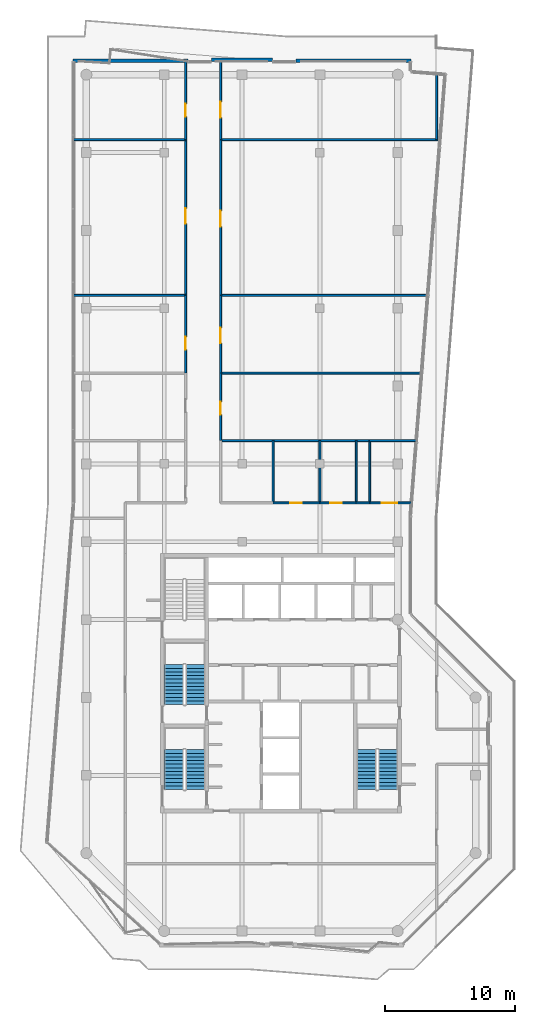
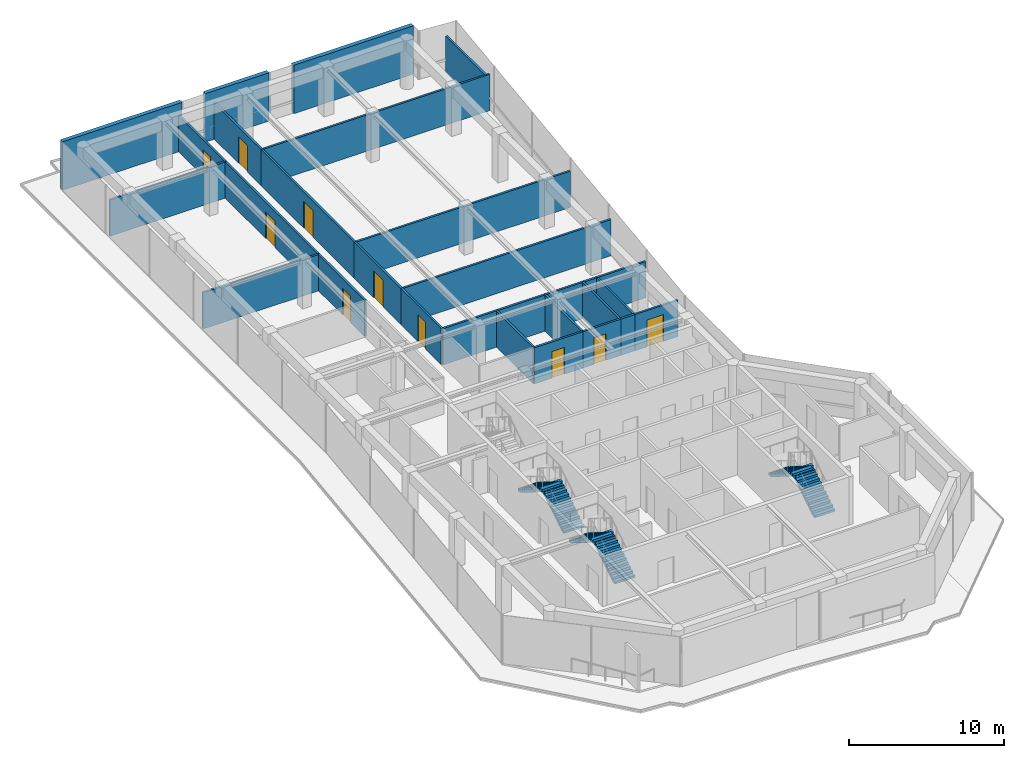
# One storey, part 19 of 22: 26 walls, 10 doors, 6 stair flights, 10 openings, 3 elements without a shape of their own.
"""IFC4 building model written with IfcOpenShell, lengths in metres."""

import ifcopenshell
import ifcopenshell.guid

model = None  # the IFC model being written
_history = None  # IfcOwnerHistory: only IFC2X3 demands one
_inside = {}  # id of a spatial element -> (the spatial element, [elements in it])
_under = {}  # id of a project, library or spatial element -> (it, [spatial elements below it])
_declared = {}  # id of a project -> (the project, [libraries it declares])
_typed = {}  # id of a type object -> (the type object, [elements of that type])
_made_of = {}  # id of a material, layer set ... -> (it, [elements and type objects made of it])


def new_model(schema):
    """Start an empty IFC model of exactly this schema.

    Asked for "IFC4X3", IfcOpenShell would pick the latest addendum, in which some entities
    have other attributes; the version numbers below select the first issue.
    IFC2X3 requires an IfcOwnerHistory on every rooted entity: one is made here for all.
    """
    global model, _history
    if schema == "IFC4X3":
        model = ifcopenshell.file(schema_version=(4, 3, 0, 0))
    else:
        model = ifcopenshell.file(schema=schema)
    _inside.clear()
    _under.clear()
    _declared.clear()
    _typed.clear()
    _made_of.clear()
    _history = None
    if model.schema == "IFC2X3":
        org = make("IfcOrganization", Name="unknown")
        user = make(
            "IfcPersonAndOrganization",
            ThePerson=make("IfcPerson", FamilyName="unknown"),
            TheOrganization=org,
        )
        app = make(
            "IfcApplication",
            ApplicationDeveloper=org,
            Version="unknown",
            ApplicationFullName="unknown",
            ApplicationIdentifier="unknown",
        )
        _history = make(
            "IfcOwnerHistory",
            OwningUser=user,
            OwningApplication=app,
            ChangeAction="ADDED",
            CreationDate=0,
        )
    return model


def make(cls, **values):
    """One entity of the class cls with the attributes given. An attribute that is None is left unset."""
    return model.create_entity(
        cls, **{name: value for name, value in values.items() if value is not None}
    )


def rooted(cls, **values):
    """An entity with a GlobalId (a new one), such as an element, a storey or a relation."""
    return make(cls, GlobalId=ifcopenshell.guid.new(), OwnerHistory=_history, **values)


def si_unit(unit_type, name, prefix=None):
    """IfcSIUnit, for example si_unit("LENGTHUNIT", "METRE", prefix="MILLI")."""
    return make("IfcSIUnit", UnitType=unit_type, Prefix=prefix, Name=name)


def assignment(units):
    """IfcUnitAssignment: the units of a project."""
    return None if units is None else make("IfcUnitAssignment", Units=units)


def point(xyz):
    """IfcCartesianPoint."""
    return None if xyz is None else make("IfcCartesianPoint", Coordinates=xyz)


def direction(xyz):
    """IfcDirection."""
    return None if xyz is None else make("IfcDirection", DirectionRatios=xyz)


def frame(location, z_axis=None, x_axis=None):
    """IfcAxis2Placement3D, a coordinate frame: its origin and axes. An axis left out is left unset."""
    return make(
        "IfcAxis2Placement3D",
        Location=point(location),
        Axis=direction(z_axis),
        RefDirection=direction(x_axis),
    )


def frame_2d(location, x_axis=None):
    """IfcAxis2Placement2D, a coordinate frame in the plane: its origin and x axis."""
    return make(
        "IfcAxis2Placement2D", Location=point(location), RefDirection=direction(x_axis)
    )


def origin():
    """The frame at (0, 0, 0) with its axes left unset."""
    return frame((0.0, 0.0, 0.0))


def place(relative_to, where):
    """IfcLocalPlacement: puts the frame where relative to a parent placement (None: the world)."""
    return make(
        "IfcLocalPlacement", PlacementRelTo=relative_to, RelativePlacement=where
    )


def context(
    kind, dimensions, precision=None, world=None, true_north=None, identifier=None
):
    """IfcGeometricRepresentationContext, for example the 3D "Model" context."""
    return make(
        "IfcGeometricRepresentationContext",
        ContextIdentifier=identifier,
        ContextType=kind,
        CoordinateSpaceDimension=dimensions,
        Precision=precision,
        WorldCoordinateSystem=world,
        TrueNorth=true_north,
    )


def subcontext(parent, identifier, kind, view, scale=None):
    """IfcGeometricRepresentationSubContext, for example "Body" below "Model"."""
    return make(
        "IfcGeometricRepresentationSubContext",
        ContextIdentifier=identifier,
        ContextType=kind,
        ParentContext=parent,
        TargetScale=scale,
        TargetView=view,
    )


def project(units=None, contexts=None):
    """IfcProject with its units and contexts."""
    return rooted(
        "IfcProject",
        Name="project",
        RepresentationContexts=contexts,
        UnitsInContext=assignment(units),
    )


def spatial(cls, under=None, at=None, **own):
    """A site, building, storey or space (cls), placed at a placement, below another one or the project."""
    s = rooted(cls, ObjectPlacement=at, **own)
    if under is not None:
        _under.setdefault(under.id(), (under, []))[1].append(s)
    return s


def polyline(points):
    """IfcPolyline through the points."""
    return make("IfcPolyline", Points=[point(p) for p in points])


def profile(cls, at=None, kind="AREA", **sizes):
    """A parametric profile (cls). Its sizes go by their IFC names, for example OverallWidth=200.0."""
    return make(cls, ProfileType=kind, Position=at, **sizes)


def rectangle(**sizes):
    """IfcRectangleProfileDef."""
    return profile("IfcRectangleProfileDef", **sizes)


def outline(outer, holes=None, kind="AREA"):
    """IfcArbitraryClosedProfileDef: a profile drawn as a closed curve; with holes, ...WithVoids."""
    if holes is None:
        return make("IfcArbitraryClosedProfileDef", ProfileType=kind, OuterCurve=outer)
    return make(
        "IfcArbitraryProfileDefWithVoids",
        ProfileType=kind,
        OuterCurve=outer,
        InnerCurves=holes,
    )


def extrude(swept, where, along, depth):
    """IfcExtrudedAreaSolid: the profile swept, set in the frame where, extruded along a direction by depth."""
    return make(
        "IfcExtrudedAreaSolid",
        SweptArea=swept,
        Position=where,
        ExtrudedDirection=direction(along),
        Depth=depth,
    )


def shape(context_of_items, identifier, shape_type, items):
    """IfcShapeRepresentation: the items that make up one representation, for example the "Body"."""
    return make(
        "IfcShapeRepresentation",
        ContextOfItems=context_of_items,
        RepresentationIdentifier=identifier,
        RepresentationType=shape_type,
        Items=items,
    )


def material(Name=None, Category=None):
    """IfcMaterial."""
    return make("IfcMaterial", Name=Name, Category=Category)


def layer(
    of_material, thickness, ventilated=None, Name=None, Category=None, Priority=None
):
    """IfcMaterialLayer: one layer of a wall or slab, of a material (None: an air gap)."""
    return make(
        "IfcMaterialLayer",
        Material=of_material,
        LayerThickness=thickness,
        IsVentilated=ventilated,
        Name=Name,
        Category=Category,
        Priority=Priority,
    )


def layer_set(layers, Name=None):
    """IfcMaterialLayerSet."""
    return make("IfcMaterialLayerSet", MaterialLayers=layers, LayerSetName=Name)


def made_of(thing, what):
    """Note that an element or type object is made of a material, layer set ...; save() writes the relation."""
    if what is not None:
        _made_of.setdefault(what.id(), (what, []))[1].append(thing)
    return thing


def type_object(cls, material=None, **own):
    """A type object (cls), such as IfcWallType, which elements share."""
    return made_of(rooted(cls, **own), material)


def element(
    cls,
    number,
    at=None,
    inside=None,
    cuts=None,
    type_object=None,
    material=None,
    context=None,
    identifier="Body",
    shape_type=None,
    held_by="IfcProductDefinitionShape",
    body=None,
    shapes=None,
    **own,
):
    """One element of the class cls, such as IfcWall. Its Tag is "e" and its number.

    at: its placement. inside: the storey or other place that contains it. cuts: it is an
    opening in that element (IfcRelVoidsElement). A single representation is given by context,
    identifier, shape_type and body (its items); several are given by shapes. held_by: the class
    of the entity that holds the representations. save() writes the other relations.
    """
    e = rooted(cls, Tag="e%d" % number, ObjectPlacement=at, **own)
    if body is not None:
        shapes = [shape(context, identifier, shape_type, body)]
    if shapes is not None:
        e.Representation = make(held_by, Representations=shapes)
    if inside is not None:
        _inside.setdefault(inside.id(), (inside, []))[1].append(e)
    if cuts is not None:
        rooted(
            "IfcRelVoidsElement", RelatingBuildingElement=cuts, RelatedOpeningElement=e
        )
    if type_object is not None:
        _typed.setdefault(type_object.id(), (type_object, []))[1].append(e)
    return made_of(e, material)


def fill(opening, filler):
    """IfcRelFillsElement: the door or window that sits in an opening."""
    return rooted(
        "IfcRelFillsElement",
        RelatingOpeningElement=opening,
        RelatedBuildingElement=filler,
    )


def aggregate(whole, parts):
    """IfcRelAggregates: a whole, such as a stair, and the parts it consists of."""
    return rooted("IfcRelAggregates", RelatingObject=whole, RelatedObjects=parts)


def save(model, path):
    """Write the relations noted so far, then the file.

    IfcRelAggregates (storeys below a building ...), IfcRelContainedInSpatialStructure (elements
    in a storey), IfcRelDefinesByType, IfcRelAssociatesMaterial and IfcRelDeclares: one each for
    every whole, place, type object, material and project.
    """
    for whole, parts in _under.values():
        aggregate(whole, parts)
    for where, things in _inside.values():
        rooted(
            "IfcRelContainedInSpatialStructure",
            RelatedElements=things,
            RelatingStructure=where,
        )
    for kind, things in _typed.values():
        rooted("IfcRelDefinesByType", RelatedObjects=things, RelatingType=kind)
    for what, things in _made_of.values():
        rooted("IfcRelAssociatesMaterial", RelatedObjects=things, RelatingMaterial=what)
    for by, libraries in _declared.values():
        rooted("IfcRelDeclares", RelatingContext=by, RelatedDefinitions=libraries)
    model.write(path)


model = new_model("IFC4")

# Units and contexts
model_context = context("Model", 3, precision=1e-05, world=origin(), true_north=direction((0.0, 1.0)))
body_context = subcontext(model_context, "Body", "Model", "MODEL_VIEW")
ifc_project = project(units=[si_unit("LENGTHUNIT", "METRE"), si_unit("AREAUNIT", "SQUARE_METRE"), si_unit("VOLUMEUNIT", "CUBIC_METRE"), si_unit("PLANEANGLEUNIT", "RADIAN"), si_unit("MASSUNIT", "GRAM", prefix="KILO")], contexts=[model_context])

# Site, building, storey
site_placement = place(None, origin())
site = spatial("IfcSite", under=ifc_project, at=site_placement, CompositionType="ELEMENT")
building_placement = place(site_placement, origin())
building = spatial("IfcBuilding", under=site, at=building_placement, Name="Welwitschia Terrace Campus", CompositionType="ELEMENT")
storey_placement = place(building_placement, frame((0.0, 0.0, 268.39990234375)))
storey = spatial("IfcBuildingStorey", under=building, at=storey_placement, Name="L59", CompositionType="ELEMENT", Elevation=268.39990234375)

# Walls
ifc_material_1 = material(Name="Gypsum board on steel studs", Category="steel")
ifc_layer_1 = layer(ifc_material_1, 0.14990234375)
ifc_layer_set_1 = layer_set([ifc_layer_1], Name="Gypsum board on steel studs")
wall_type_1 = type_object("IfcWallType", Name="Corridor partition 150 EI 30", PredefinedType="PARTITIONING", material=ifc_layer_set_1)
for number, where, z_axis, x_axis, name in (
    (1, (-0.97998046875, 45.0, 0.0), (0.0, 0.0, 1.0), (1.0, 0.0, 0.0), "Partition"),
    (2, (-0.97998046875, 57.0, 0.0), (0.0, 0.0, 1.0), (1.0, 0.0, 0.0), "Partition"),
):
    element("IfcWall", number, at=place(storey_placement, frame(where, z_axis=z_axis, x_axis=x_axis)), inside=storey, type_object=wall_type_1, Name=name, PredefinedType="PARTITIONING", context=body_context, shape_type="SweptSolid", body=[
        extrude(rectangle(XDim=8.6298828125, YDim=0.14990234375, at=frame_2d((4.31494140625, 0.0))), origin(), (0.0, 0.0, 1.0), 2.85009765625),
    ])

# Wall, opening, door
wall_1_placement = place(storey_placement, frame((7.64990234375, 39.0, 0.0), z_axis=(0.0, 0.0, 1.0), x_axis=(0.0, 1.0, 0.0)))
wall_1 = element("IfcWall", 3, at=wall_1_placement, inside=storey, type_object=wall_type_1, Name="Partition", PredefinedType="PARTITIONING", context=body_context, shape_type="SweptSolid", body=[
    extrude(rectangle(XDim=6.0, YDim=0.14990234375, at=frame_2d((3.0, 0.0))), origin(), (0.0, 0.0, 1.0), 2.85009765625),
])
opening_1_placement = place(wall_1_placement, frame((1.800048828125, 0.0, 0.0)))
opening_1 = element("IfcOpeningElement", 4, at=opening_1_placement, cuts=wall_1, Name="Opening DI10", PredefinedType="OPENING", context=body_context, shape_type="SweptSolid", body=[
    extrude(rectangle(XDim=1.0, YDim=2.10009765625, at=frame_2d((0.5, 1.050048828125))), frame((0.0, 0.0849609375, 0.0), z_axis=(0.0, -1.0, 0.0), x_axis=(1.0, 0.0, 0.0)), (0.0, 0.0, 1.0), 0.169921875),
])
ifc_material_2 = material(Name="Timber veneered door", Category="wood")
door_type_1 = type_object("IfcDoorType", Name="Interior door DI10", OperationType="NOTDEFINED", PredefinedType="DOOR", material=ifc_material_2)
door_1_placement = place(opening_1_placement, origin())
door_1 = element("IfcDoor", 5, at=door_1_placement, inside=storey, type_object=door_type_1, Name="Door L59 1059", OperationType="SINGLE_SWING_RIGHT", OverallHeight=2.10009765625, OverallWidth=1.0, PredefinedType="DOOR", context=body_context, shape_type="SweptSolid", body=[
    extrude(rectangle(XDim=1.0, YDim=2.10009765625, at=frame_2d((0.5, 1.050048828125))), frame((0.0, 0.02490234375, 0.0), z_axis=(0.0, -1.0, 0.0), x_axis=(1.0, 0.0, 0.0)), (0.0, 0.0, 1.0), 0.050048828125),
])
fill(opening_1, door_1)

wall_2_placement = place(storey_placement, frame((7.64990234375, 57.0, 0.0), z_axis=(0.0, 0.0, 1.0), x_axis=(0.0, -1.0, 0.0)))
wall_2 = element("IfcWall", 6, at=wall_2_placement, inside=storey, type_object=wall_type_1, Name="Partition", PredefinedType="PARTITIONING", context=body_context, shape_type="SweptSolid", body=[
    extrude(rectangle(XDim=12.0, YDim=0.14990234375, at=frame_2d((6.0, 0.0))), origin(), (0.0, 0.0, 1.0), 2.85009765625),
])
opening_2_placement = place(wall_2_placement, frame((5.300048828125, 0.0, 0.0)))
opening_2 = element("IfcOpeningElement", 7, at=opening_2_placement, cuts=wall_2, Name="Opening DI12", PredefinedType="OPENING", context=body_context, shape_type="SweptSolid", body=[
    extrude(rectangle(XDim=1.199951171875, YDim=2.10009765625, at=frame_2d((0.60009765625, 1.050048828125))), frame((0.0, 0.0849609375, 0.0), z_axis=(0.0, -1.0, 0.0), x_axis=(1.0, 0.0, 0.0)), (0.0, 0.0, 1.0), 0.169921875),
])
ifc_material_3 = material(Name="Timber veneered door", Category="wood")
door_type_2 = type_object("IfcDoorType", Name="Interior door DI12", OperationType="NOTDEFINED", PredefinedType="DOOR", material=ifc_material_3)
door_2_placement = place(opening_2_placement, origin())
door_2 = element("IfcDoor", 8, at=door_2_placement, inside=storey, type_object=door_type_2, Name="Door L59 1060", OperationType="SINGLE_SWING_LEFT", OverallHeight=2.10009765625, OverallWidth=1.199951171875, PredefinedType="DOOR", context=body_context, shape_type="SweptSolid", body=[
    extrude(rectangle(XDim=1.199951171875, YDim=2.10009765625, at=frame_2d((0.60009765625, 1.050048828125))), frame((0.0, 0.02490234375, 0.0), z_axis=(0.0, -1.0, 0.0), x_axis=(1.0, 0.0, 0.0)), (0.0, 0.0, 1.0), 0.050048828125),
])
fill(opening_2, door_2)

wall_3_placement = place(storey_placement, frame((7.64990234375, 57.0, 0.0), z_axis=(0.0, 0.0, 1.0), x_axis=(0.0, 1.0, 0.0)))
wall_3 = element("IfcWall", 9, at=wall_3_placement, inside=storey, type_object=wall_type_1, Name="Partition", PredefinedType="PARTITIONING", context=body_context, shape_type="SweptSolid", body=[
    extrude(rectangle(XDim=6.090087890625, YDim=0.14990234375, at=frame_2d((3.044921875, 0.0))), origin(), (0.0, 0.0, 1.0), 2.85009765625),
])
opening_3_placement = place(wall_3_placement, frame((1.780029296875, 0.0, 0.0)))
opening_3 = element("IfcOpeningElement", 10, at=opening_3_placement, cuts=wall_3, Name="Opening DI10", PredefinedType="OPENING", context=body_context, shape_type="SweptSolid", body=[
    extrude(rectangle(XDim=1.0, YDim=2.10009765625, at=frame_2d((0.5, 1.050048828125))), frame((0.0, 0.0849609375, 0.0), z_axis=(0.0, -1.0, 0.0), x_axis=(1.0, 0.0, 0.0)), (0.0, 0.0, 1.0), 0.169921875),
])
door_3_placement = place(opening_3_placement, origin())
door_3 = element("IfcDoor", 11, at=door_3_placement, inside=storey, type_object=door_type_1, Name="Door L59 1061", OperationType="SINGLE_SWING_RIGHT", OverallHeight=2.10009765625, OverallWidth=1.0, PredefinedType="DOOR", context=body_context, shape_type="SweptSolid", body=[
    extrude(rectangle(XDim=1.0, YDim=2.10009765625, at=frame_2d((0.5, 1.050048828125))), frame((0.0, 0.02490234375, 0.0), z_axis=(0.0, -1.0, 0.0), x_axis=(1.0, 0.0, 0.0)), (0.0, 0.0, 1.0), 0.050048828125),
])
fill(opening_3, door_3)

# Wall
wall_4_placement = place(storey_placement, frame((10.35009765625, 33.800048828125, 0.0), z_axis=(0.0, 0.0, 1.0), x_axis=(1.0, 0.0, 0.0)))
element("IfcWall", 12, at=wall_4_placement, inside=storey, type_object=wall_type_1, Name="Partition", PredefinedType="PARTITIONING", context=body_context, shape_type="SweptSolid", body=[
    extrude(rectangle(XDim=11.489990234375, YDim=0.14990234375, at=frame_2d((5.7451171875, 0.0))), origin(), (0.0, 0.0, 1.0), 2.85009765625),
])

# Wall, opening, door
wall_5_placement = place(storey_placement, frame((10.35009765625, 39.0, 0.0), z_axis=(0.0, 0.0, 1.0), x_axis=(0.0, -1.0, 0.0)))
wall_5 = element("IfcWall", 13, at=wall_5_placement, inside=storey, type_object=wall_type_1, Name="Partition", PredefinedType="PARTITIONING", context=body_context, shape_type="SweptSolid", body=[
    extrude(rectangle(XDim=5.199951171875, YDim=0.14990234375, at=frame_2d((2.60009765625, 0.0))), origin(), (0.0, 0.0, 1.0), 2.85009765625),
])
opening_4_placement = place(wall_5_placement, frame((2.199951171875, 0.0, 0.0)))
opening_4 = element("IfcOpeningElement", 14, at=opening_4_placement, cuts=wall_5, Name="Opening DI10", PredefinedType="OPENING", context=body_context, shape_type="SweptSolid", body=[
    extrude(rectangle(XDim=1.0, YDim=2.10009765625, at=frame_2d((0.5, 1.050048828125))), frame((0.0, 0.0849609375, 0.0), z_axis=(0.0, -1.0, 0.0), x_axis=(1.0, 0.0, 0.0)), (0.0, 0.0, 1.0), 0.169921875),
])
door_4_placement = place(opening_4_placement, origin())
door_4 = element("IfcDoor", 15, at=door_4_placement, inside=storey, type_object=door_type_1, Name="Door L59 1062", OperationType="SINGLE_SWING_LEFT", OverallHeight=2.10009765625, OverallWidth=1.0, PredefinedType="DOOR", context=body_context, shape_type="SweptSolid", body=[
    extrude(rectangle(XDim=1.0, YDim=2.10009765625, at=frame_2d((0.5, 1.050048828125))), frame((0.0, 0.02490234375, 0.0), z_axis=(0.0, -1.0, 0.0), x_axis=(1.0, 0.0, 0.0)), (0.0, 0.0, 1.0), 0.050048828125),
])
fill(opening_4, door_4)

wall_6_placement = place(storey_placement, frame((10.35009765625, 39.0, 0.0), z_axis=(0.0, 0.0, 1.0), x_axis=(0.0, 1.0, 0.0)))
wall_6 = element("IfcWall", 16, at=wall_6_placement, inside=storey, type_object=wall_type_1, Name="Partition", PredefinedType="PARTITIONING", context=body_context, shape_type="SweptSolid", body=[
    extrude(rectangle(XDim=6.0, YDim=0.14990234375, at=frame_2d((3.0, 0.0))), origin(), (0.0, 0.0, 1.0), 2.85009765625),
])
opening_5_placement = place(wall_6_placement, frame((2.300048828125, 0.0, 0.0)))
opening_5 = element("IfcOpeningElement", 17, at=opening_5_placement, cuts=wall_6, Name="Opening DI12", PredefinedType="OPENING", context=body_context, shape_type="SweptSolid", body=[
    extrude(rectangle(XDim=1.199951171875, YDim=2.10009765625, at=frame_2d((0.60009765625, 1.050048828125))), frame((0.0, 0.0849609375, 0.0), z_axis=(0.0, -1.0, 0.0), x_axis=(1.0, 0.0, 0.0)), (0.0, 0.0, 1.0), 0.169921875),
])
door_5_placement = place(opening_5_placement, origin())
door_5 = element("IfcDoor", 18, at=door_5_placement, inside=storey, type_object=door_type_2, Name="Door L59 1063", OperationType="SINGLE_SWING_RIGHT", OverallHeight=2.10009765625, OverallWidth=1.199951171875, PredefinedType="DOOR", context=body_context, shape_type="SweptSolid", body=[
    extrude(rectangle(XDim=1.199951171875, YDim=2.10009765625, at=frame_2d((0.60009765625, 1.050048828125))), frame((0.0, 0.02490234375, 0.0), z_axis=(0.0, -1.0, 0.0), x_axis=(1.0, 0.0, 0.0)), (0.0, 0.0, 1.0), 0.050048828125),
])
fill(opening_5, door_5)

# Wall
wall_7_placement = place(storey_placement, frame((10.35009765625, 39.0, 0.0), z_axis=(0.0, 0.0, 1.0), x_axis=(1.0, 0.0, 0.0)))
element("IfcWall", 19, at=wall_7_placement, inside=storey, type_object=wall_type_1, Name="Partition", PredefinedType="PARTITIONING", context=body_context, shape_type="SweptSolid", body=[
    extrude(rectangle(XDim=15.5, YDim=0.14990234375, at=frame_2d((7.75, 0.0))), origin(), (0.0, 0.0, 1.0), 2.85009765625),
])

# Wall, opening, door
wall_8_placement = place(storey_placement, frame((10.35009765625, 45.0, 0.0), z_axis=(0.0, 0.0, 1.0), x_axis=(0.0, 1.0, 0.0)))
wall_8 = element("IfcWall", 20, at=wall_8_placement, inside=storey, type_object=wall_type_1, Name="Partition", PredefinedType="PARTITIONING", context=body_context, shape_type="SweptSolid", body=[
    extrude(rectangle(XDim=12.0, YDim=0.14990234375, at=frame_2d((6.0, 0.0))), origin(), (0.0, 0.0, 1.0), 2.85009765625),
])
opening_6_placement = place(wall_8_placement, frame((5.300048828125, 0.0, 0.0)))
opening_6 = element("IfcOpeningElement", 21, at=opening_6_placement, cuts=wall_8, Name="Opening DI12", PredefinedType="OPENING", context=body_context, shape_type="SweptSolid", body=[
    extrude(rectangle(XDim=1.199951171875, YDim=2.10009765625, at=frame_2d((0.60009765625, 1.050048828125))), frame((0.0, 0.0849609375, 0.0), z_axis=(0.0, -1.0, 0.0), x_axis=(1.0, 0.0, 0.0)), (0.0, 0.0, 1.0), 0.169921875),
])
door_6_placement = place(opening_6_placement, origin())
door_6 = element("IfcDoor", 22, at=door_6_placement, inside=storey, type_object=door_type_2, Name="Door L59 1064", OperationType="SINGLE_SWING_LEFT", OverallHeight=2.10009765625, OverallWidth=1.199951171875, PredefinedType="DOOR", context=body_context, shape_type="SweptSolid", body=[
    extrude(rectangle(XDim=1.199951171875, YDim=2.10009765625, at=frame_2d((0.60009765625, 1.050048828125))), frame((0.0, 0.02490234375, 0.0), z_axis=(0.0, -1.0, 0.0), x_axis=(1.0, 0.0, 0.0)), (0.0, 0.0, 1.0), 0.050048828125),
])
fill(opening_6, door_6)

# Wall
wall_9_placement = place(storey_placement, frame((10.35009765625, 45.0, 0.0), z_axis=(0.0, 0.0, 1.0), x_axis=(1.0, 0.0, 0.0)))
element("IfcWall", 23, at=wall_9_placement, inside=storey, type_object=wall_type_1, Name="Partition", PredefinedType="PARTITIONING", context=body_context, shape_type="SweptSolid", body=[
    extrude(rectangle(XDim=15.956787109375, YDim=0.14990234375, at=frame_2d((7.978515625, 0.0))), origin(), (0.0, 0.0, 1.0), 2.85009765625),
])

# Wall, opening, door
wall_10_placement = place(storey_placement, frame((10.35009765625, 57.0, 0.0), z_axis=(0.0, 0.0, 1.0), x_axis=(0.0, 1.0, 0.0)))
wall_10 = element("IfcWall", 24, at=wall_10_placement, inside=storey, type_object=wall_type_1, Name="Partition", PredefinedType="PARTITIONING", context=body_context, shape_type="SweptSolid", body=[
    extrude(rectangle(XDim=6.090087890625, YDim=0.14990234375, at=frame_2d((3.044921875, 0.0))), origin(), (0.0, 0.0, 1.0), 2.85009765625),
])
opening_7_placement = place(wall_10_placement, frame((1.699951171875, 0.0, 0.0)))
opening_7 = element("IfcOpeningElement", 25, at=opening_7_placement, cuts=wall_10, Name="Opening DI12", PredefinedType="OPENING", context=body_context, shape_type="SweptSolid", body=[
    extrude(rectangle(XDim=1.199951171875, YDim=2.10009765625, at=frame_2d((0.60009765625, 1.050048828125))), frame((0.0, 0.0849609375, 0.0), z_axis=(0.0, -1.0, 0.0), x_axis=(1.0, 0.0, 0.0)), (0.0, 0.0, 1.0), 0.169921875),
])
door_7_placement = place(opening_7_placement, origin())
door_7 = element("IfcDoor", 26, at=door_7_placement, inside=storey, type_object=door_type_2, Name="Door L59 1065", OperationType="SINGLE_SWING_RIGHT", OverallHeight=2.10009765625, OverallWidth=1.199951171875, PredefinedType="DOOR", context=body_context, shape_type="SweptSolid", body=[
    extrude(rectangle(XDim=1.199951171875, YDim=2.10009765625, at=frame_2d((0.60009765625, 1.050048828125))), frame((0.0, 0.02490234375, 0.0), z_axis=(0.0, -1.0, 0.0), x_axis=(1.0, 0.0, 0.0)), (0.0, 0.0, 1.0), 0.050048828125),
])
fill(opening_7, door_7)

# Walls
wall_11_placement = place(storey_placement, frame((10.35009765625, 57.0, 0.0), z_axis=(0.0, 0.0, 1.0), x_axis=(1.0, 0.0, 0.0)))
element("IfcWall", 27, at=wall_11_placement, inside=storey, type_object=wall_type_1, Name="Partition", PredefinedType="PARTITIONING", context=body_context, shape_type="SweptSolid", body=[
    extrude(rectangle(XDim=16.90576171875, YDim=0.14990234375, at=frame_2d((8.452880859375, 0.0))), origin(), (0.0, 0.0, 1.0), 2.85009765625),
])
wall_12_placement = place(storey_placement, frame((14.39990234375, 29.0, 0.0), z_axis=(0.0, 0.0, 1.0), x_axis=(0.0, 1.0, 0.0)))
element("IfcWall", 28, at=wall_12_placement, inside=storey, type_object=wall_type_1, Name="Partition", PredefinedType="PARTITIONING", context=body_context, shape_type="SweptSolid", body=[
    extrude(rectangle(XDim=4.800048828125, YDim=0.14990234375, at=frame_2d((2.39990234375, 0.0))), origin(), (0.0, 0.0, 1.0), 2.85009765625),
])

# Wall, opening, door
wall_13_placement = place(storey_placement, frame((14.39990234375, 29.0, 0.0), z_axis=(0.0, 0.0, 1.0), x_axis=(1.0, 0.0, 0.0)))
wall_13 = element("IfcWall", 29, at=wall_13_placement, inside=storey, type_object=wall_type_1, Name="Partition", PredefinedType="PARTITIONING", context=body_context, shape_type="SweptSolid", body=[
    extrude(rectangle(XDim=3.60009765625, YDim=0.14990234375, at=frame_2d((1.800048828125, 0.0))), origin(), (0.0, 0.0, 1.0), 2.85009765625),
])
opening_8_placement = place(wall_13_placement, frame((1.300048828125, 0.0, 0.0)))
opening_8 = element("IfcOpeningElement", 30, at=opening_8_placement, cuts=wall_13, Name="Opening DI09", PredefinedType="OPENING", context=body_context, shape_type="SweptSolid", body=[
    extrude(rectangle(XDim=0.89990234375, YDim=2.10009765625, at=frame_2d((0.449951171875, 1.050048828125))), frame((0.0, 0.0849609375, 0.0), z_axis=(0.0, -1.0, 0.0), x_axis=(1.0, 0.0, 0.0)), (0.0, 0.0, 1.0), 0.169921875),
])
ifc_material_4 = material(Name="Timber veneered door", Category="wood")
door_type_3 = type_object("IfcDoorType", Name="Interior door DI09", OperationType="NOTDEFINED", PredefinedType="DOOR", material=ifc_material_4)
door_8_placement = place(opening_8_placement, origin())
door_8 = element("IfcDoor", 31, at=door_8_placement, inside=storey, type_object=door_type_3, Name="Door L59 1066", OperationType="SINGLE_SWING_LEFT", OverallHeight=2.10009765625, OverallWidth=0.89990234375, PredefinedType="DOOR", context=body_context, shape_type="SweptSolid", body=[
    extrude(rectangle(XDim=0.89990234375, YDim=2.10009765625, at=frame_2d((0.449951171875, 1.050048828125))), frame((0.0, 0.02490234375, 0.0), z_axis=(0.0, -1.0, 0.0), x_axis=(1.0, 0.0, 0.0)), (0.0, 0.0, 1.0), 0.050048828125),
])
fill(opening_8, door_8)

# Wall
wall_14_placement = place(storey_placement, frame((18.0, 29.0, 0.0), z_axis=(0.0, 0.0, 1.0), x_axis=(0.0, 1.0, 0.0)))
element("IfcWall", 32, at=wall_14_placement, inside=storey, type_object=wall_type_1, Name="Partition", PredefinedType="PARTITIONING", context=body_context, shape_type="SweptSolid", body=[
    extrude(rectangle(XDim=4.800048828125, YDim=0.14990234375, at=frame_2d((2.39990234375, 0.0))), origin(), (0.0, 0.0, 1.0), 2.85009765625),
])

# Wall, opening, door
wall_15_placement = place(storey_placement, frame((18.0, 29.0, 0.0), z_axis=(0.0, 0.0, 1.0), x_axis=(1.0, 0.0, 0.0)))
wall_15 = element("IfcWall", 33, at=wall_15_placement, inside=storey, type_object=wall_type_1, Name="Partition", PredefinedType="PARTITIONING", context=body_context, shape_type="SweptSolid", body=[
    extrude(rectangle(XDim=2.800048828125, YDim=0.14990234375, at=frame_2d((1.39990234375, 0.0))), origin(), (0.0, 0.0, 1.0), 2.85009765625),
])
opening_9_placement = place(wall_15_placement, frame((0.800048828125, 0.0, 0.0)))
opening_9 = element("IfcOpeningElement", 34, at=opening_9_placement, cuts=wall_15, Name="Opening DI09", PredefinedType="OPENING", context=body_context, shape_type="SweptSolid", body=[
    extrude(rectangle(XDim=0.89990234375, YDim=2.10009765625, at=frame_2d((0.449951171875, 1.050048828125))), frame((0.0, 0.0849609375, 0.0), z_axis=(0.0, -1.0, 0.0), x_axis=(1.0, 0.0, 0.0)), (0.0, 0.0, 1.0), 0.169921875),
])
door_9_placement = place(opening_9_placement, origin())
door_9 = element("IfcDoor", 35, at=door_9_placement, inside=storey, type_object=door_type_3, Name="Door L59 1067", OperationType="SINGLE_SWING_RIGHT", OverallHeight=2.10009765625, OverallWidth=0.89990234375, PredefinedType="DOOR", context=body_context, shape_type="SweptSolid", body=[
    extrude(rectangle(XDim=0.89990234375, YDim=2.10009765625, at=frame_2d((0.449951171875, 1.050048828125))), frame((0.0, 0.02490234375, 0.0), z_axis=(0.0, -1.0, 0.0), x_axis=(1.0, 0.0, 0.0)), (0.0, 0.0, 1.0), 0.050048828125),
])
fill(opening_9, door_9)

# Walls
wall_16_placement = place(storey_placement, frame((20.800048828125, 29.0, 0.0), z_axis=(0.0, 0.0, 1.0), x_axis=(0.0, 1.0, 0.0)))
element("IfcWall", 36, at=wall_16_placement, inside=storey, type_object=wall_type_1, Name="Partition", PredefinedType="PARTITIONING", context=body_context, shape_type="SweptSolid", body=[
    extrude(rectangle(XDim=4.800048828125, YDim=0.14990234375, at=frame_2d((2.39990234375, 0.0))), origin(), (0.0, 0.0, 1.0), 2.85009765625),
])
wall_17_placement = place(storey_placement, frame((20.800048828125, 29.0, 0.0), z_axis=(0.0, 0.0, 1.0), x_axis=(1.0, 0.0, 0.0)))
element("IfcWall", 37, at=wall_17_placement, inside=storey, type_object=wall_type_1, Name="Partition", PredefinedType="PARTITIONING", context=body_context, shape_type="SweptSolid", body=[
    extrude(rectangle(XDim=1.0400390625, YDim=0.14990234375, at=frame_2d((0.52001953125, 0.0))), origin(), (0.0, 0.0, 1.0), 2.85009765625),
])
wall_18_placement = place(storey_placement, frame((21.840087890625, 29.0, 0.0), z_axis=(0.0, 0.0, 1.0), x_axis=(0.0, 1.0, 0.0)))
element("IfcWall", 38, at=wall_18_placement, inside=storey, type_object=wall_type_1, Name="Partition", PredefinedType="PARTITIONING", context=body_context, shape_type="SweptSolid", body=[
    extrude(rectangle(XDim=4.800048828125, YDim=0.14990234375, at=frame_2d((2.39990234375, 0.0))), origin(), (0.0, 0.0, 1.0), 2.85009765625),
])

# Wall, opening, door
wall_19_placement = place(storey_placement, frame((21.840087890625, 29.0, 0.0), z_axis=(0.0, 0.0, 1.0), x_axis=(1.0, 0.0, 0.0)))
wall_19 = element("IfcWall", 39, at=wall_19_placement, inside=storey, type_object=wall_type_1, Name="Partition", PredefinedType="PARTITIONING", context=body_context, shape_type="SweptSolid", body=[
    extrude(rectangle(XDim=3.219970703125, YDim=0.14990234375, at=frame_2d((1.60986328125, 0.0))), origin(), (0.0, 0.0, 1.0), 2.85009765625),
])
opening_10_placement = place(wall_19_placement, frame((0.919921875, 0.0, 0.0)))
opening_10 = element("IfcOpeningElement", 40, at=opening_10_placement, cuts=wall_19, Name="Opening DX12", PredefinedType="OPENING", context=body_context, shape_type="SweptSolid", body=[
    extrude(rectangle(XDim=1.199951171875, YDim=2.10009765625, at=frame_2d((0.60009765625, 1.050048828125))), frame((0.0, 0.0849609375, 0.0), z_axis=(0.0, -1.0, 0.0), x_axis=(1.0, 0.0, 0.0)), (0.0, 0.0, 1.0), 0.169921875),
])
ifc_material_5 = material(Name="Timber veneered door", Category="wood")
door_type_4 = type_object("IfcDoorType", Name="Interior door DX12", OperationType="NOTDEFINED", PredefinedType="DOOR", material=ifc_material_5)
door_10_placement = place(opening_10_placement, origin())
door_10 = element("IfcDoor", 41, at=door_10_placement, inside=storey, type_object=door_type_4, Name="Door L59 1068", OperationType="SINGLE_SWING_LEFT", OverallHeight=2.10009765625, OverallWidth=1.199951171875, PredefinedType="DOOR", context=body_context, shape_type="SweptSolid", body=[
    extrude(rectangle(XDim=1.199951171875, YDim=2.10009765625, at=frame_2d((0.60009765625, 1.050048828125))), frame((0.0, 0.02490234375, 0.0), z_axis=(0.0, -1.0, 0.0), x_axis=(1.0, 0.0, 0.0)), (0.0, 0.0, 1.0), 0.050048828125),
])
fill(opening_10, door_10)

# Walls
wall_20_placement = place(storey_placement, frame((21.840087890625, 33.800048828125, 0.0), z_axis=(0.0, 0.0, 1.0), x_axis=(1.0, 0.0, 0.0)))
element("IfcWall", 42, at=wall_20_placement, inside=storey, type_object=wall_type_1, Name="Partition", PredefinedType="PARTITIONING", context=body_context, shape_type="SweptSolid", body=[
    extrude(rectangle(XDim=3.599853515625, YDim=0.14990234375, at=frame_2d((1.7998046875, 0.0))), origin(), (0.0, 0.0, 1.0), 2.85009765625),
])
wall_21_placement = place(storey_placement, frame((27.0, 57.0, 0.0), z_axis=(0.0, 0.0, 1.0), x_axis=(0.0, 1.0, 0.0)))
element("IfcWall", 43, at=wall_21_placement, inside=storey, type_object=wall_type_1, Name="Partition", PredefinedType="PARTITIONING", context=body_context, shape_type="SweptSolid", body=[
    extrude(rectangle(XDim=5.06005859375, YDim=0.14990234375, at=frame_2d((2.530029296875, 0.0))), origin(), (0.0, 0.0, 1.0), 2.85009765625),
])
ifc_material_6 = material(Name="Concrete C40/50", Category="concrete")
ifc_layer_2 = layer(ifc_material_6, 0.300048828125)
ifc_layer_set_2 = layer_set([ifc_layer_2], Name="Concrete C40/50")
wall_type_2 = type_object("IfcWallType", Name="Mass wall 300", PredefinedType="SOLIDWALL", material=ifc_layer_set_2)
wall_22_placement = place(storey_placement, frame((25.030029296875, 63.078125, 0.0), z_axis=(0.0, 0.0, 1.0), x_axis=(-1.0, 0.0, 0.0)))
element("IfcWall", 44, at=wall_22_placement, inside=storey, type_object=wall_type_2, Name="Mass wall L59.11.0", PredefinedType="SOLIDWALL", context=body_context, shape_type="SweptSolid", body=[
    extrude(rectangle(XDim=8.87255859375, YDim=0.300048828125, at=frame_2d((4.436279296875, 0.0))), origin(), (0.0, 0.0, 1.0), 3.800048828125),
])
wall_23_placement = place(storey_placement, frame((14.357421875, 63.1572265625, 0.0), z_axis=(0.0, 0.0, 1.0), x_axis=(-1.0, 0.0, 0.0)))
element("IfcWall", 45, at=wall_23_placement, inside=storey, type_object=wall_type_2, Name="Mass wall L59.11.1", PredefinedType="SOLIDWALL", context=body_context, shape_type="SweptSolid", body=[
    extrude(rectangle(XDim=4.71484375, YDim=0.300048828125, at=frame_2d((2.357421875, 0.0))), origin(), (0.0, 0.0, 1.0), 3.800048828125),
])
wall_24_placement = place(storey_placement, frame((7.842529296875, 63.078125, 0.0), z_axis=(0.0, 0.0, 1.0), x_axis=(-1.0, 0.0, 0.0)))
element("IfcWall", 46, at=wall_24_placement, inside=storey, type_object=wall_type_2, Name="Mass wall L59.11.2", PredefinedType="SOLIDWALL", context=body_context, shape_type="SweptSolid", body=[
    extrude(rectangle(XDim=8.87255859375, YDim=0.300048828125, at=frame_2d((4.436279296875, 0.0))), origin(), (0.0, 0.0, 1.0), 3.800048828125),
])

# Stair, stair flights
ifc_material_7 = material(Name="Concrete C40/50", Category="concrete")
stair_type = type_object("IfcStairType", Name="Stair 24R 175 W1500", PredefinedType="HALF_TURN_STAIR", material=ifc_material_7)
stair_1_placement = place(storey_placement, origin())
stair_1 = element("IfcStair", 47, at=stair_1_placement, inside=storey, type_object=stair_type, Name="L59 Exit stair S1", PredefinedType="HALF_TURN_STAIR")
ifc_material_8 = material(Name="Concrete C40/50", Category="concrete")
stair_flight_type = type_object("IfcStairFlightType", Name="Stair flight 24R 175 W1500", PredefinedType="STRAIGHT", material=ifc_material_8)
stair_flight_1_placement = place(storey_placement, frame((8.39990234375, 6.89990234375, 0.0), z_axis=(0.0, 0.0, 1.0), x_axis=(0.0, 1.0, 0.0)))
stair_flight_1 = element("IfcStairFlight", 48, at=stair_flight_1_placement, type_object=stair_flight_type, Name="S1 flight 1", NumberOfRisers=12, NumberOfTreads=11, PredefinedType="STRAIGHT", RiserHeight=0.175, TreadLength=0.28, context=body_context, shape_type="SweptSolid", body=[
    extrude(outline(polyline([(0.0, 0.0), (0.0, 0.175048828125), (0.280029296875, 0.175048828125), (0.280029296875, 0.35009765625), (0.56005859375, 0.35009765625), (0.56005859375, 0.52490234375), (0.840087890625, 0.52490234375), (0.840087890625, 0.699951171875), (1.1201171875, 0.699951171875), (1.1201171875, 0.875), (1.39990234375, 0.875), (1.39990234375, 1.050048828125), (1.679931640625, 1.050048828125), (1.679931640625, 1.22509765625), (1.9599609375, 1.22509765625), (1.9599609375, 1.39990234375), (2.239990234375, 1.39990234375), (2.239990234375, 1.574951171875), (2.52001953125, 1.574951171875), (2.52001953125, 1.75), (2.800048828125, 1.75), (2.800048828125, 1.925048828125), (3.080078125, 1.925048828125), (3.080078125, 2.10009765625), (3.080078125, 1.748291015625), (0.28271484375, 0.0), (0.0, 0.0)])), frame((0.0, 0.75, 0.0), z_axis=(0.0, -1.0, 0.0), x_axis=(1.0, 0.0, 0.0)), (0.0, 0.0, 1.0), 1.5),
])
stair_flight_2_placement = place(storey_placement, frame((6.75, 9.97998046875, 2.10009765625), z_axis=(0.0, 0.0, 1.0), x_axis=(0.0, -1.0, 0.0)))
stair_flight_2 = element("IfcStairFlight", 49, at=stair_flight_2_placement, type_object=stair_flight_type, Name="S1 flight 2", NumberOfRisers=12, NumberOfTreads=11, PredefinedType="STRAIGHT", RiserHeight=0.175, TreadLength=0.28, context=body_context, shape_type="SweptSolid", body=[
    extrude(outline(polyline([(0.0, 0.0), (0.0, 0.175048828125), (0.280029296875, 0.175048828125), (0.280029296875, 0.35009765625), (0.56005859375, 0.35009765625), (0.56005859375, 0.52490234375), (0.840087890625, 0.52490234375), (0.840087890625, 0.699951171875), (1.1201171875, 0.699951171875), (1.1201171875, 0.875), (1.39990234375, 0.875), (1.39990234375, 1.050048828125), (1.679931640625, 1.050048828125), (1.679931640625, 1.22509765625), (1.9599609375, 1.22509765625), (1.9599609375, 1.39990234375), (2.239990234375, 1.39990234375), (2.239990234375, 1.574951171875), (2.52001953125, 1.574951171875), (2.52001953125, 1.75), (2.800048828125, 1.75), (2.800048828125, 1.925048828125), (3.080078125, 1.925048828125), (3.080078125, 2.10009765625), (3.080078125, 1.748291015625), (0.28271484375, 0.0), (0.0, 0.0)])), frame((0.0, 0.75, 0.0), z_axis=(0.0, -1.0, 0.0), x_axis=(1.0, 0.0, 0.0)), (0.0, 0.0, 1.0), 1.5),
])
aggregate(stair_1, [stair_flight_1, stair_flight_2])

stair_2_placement = place(storey_placement, origin())
stair_2 = element("IfcStair", 50, at=stair_2_placement, inside=storey, type_object=stair_type, Name="L59 Exit stair S3", PredefinedType="HALF_TURN_STAIR")
stair_flight_3_placement = place(storey_placement, frame((8.39990234375, 13.449951171875, 0.0), z_axis=(0.0, 0.0, 1.0), x_axis=(0.0, 1.0, 0.0)))
stair_flight_3 = element("IfcStairFlight", 51, at=stair_flight_3_placement, type_object=stair_flight_type, Name="S3 flight 1", NumberOfRisers=12, NumberOfTreads=11, PredefinedType="STRAIGHT", RiserHeight=0.175, TreadLength=0.28, context=body_context, shape_type="SweptSolid", body=[
    extrude(outline(polyline([(0.0, 0.0), (0.0, 0.175048828125), (0.280029296875, 0.175048828125), (0.280029296875, 0.35009765625), (0.56005859375, 0.35009765625), (0.56005859375, 0.52490234375), (0.840087890625, 0.52490234375), (0.840087890625, 0.699951171875), (1.1201171875, 0.699951171875), (1.1201171875, 0.875), (1.39990234375, 0.875), (1.39990234375, 1.050048828125), (1.679931640625, 1.050048828125), (1.679931640625, 1.22509765625), (1.9599609375, 1.22509765625), (1.9599609375, 1.39990234375), (2.239990234375, 1.39990234375), (2.239990234375, 1.574951171875), (2.52001953125, 1.574951171875), (2.52001953125, 1.75), (2.800048828125, 1.75), (2.800048828125, 1.925048828125), (3.080078125, 1.925048828125), (3.080078125, 2.10009765625), (3.080078125, 1.748291015625), (0.28271484375, 0.0), (0.0, 0.0)])), frame((0.0, 0.75, 0.0), z_axis=(0.0, -1.0, 0.0), x_axis=(1.0, 0.0, 0.0)), (0.0, 0.0, 1.0), 1.5),
])
stair_flight_4_placement = place(storey_placement, frame((6.75, 16.530029296875, 2.10009765625), z_axis=(0.0, 0.0, 1.0), x_axis=(0.0, -1.0, 0.0)))
stair_flight_4 = element("IfcStairFlight", 52, at=stair_flight_4_placement, type_object=stair_flight_type, Name="S3 flight 2", NumberOfRisers=12, NumberOfTreads=11, PredefinedType="STRAIGHT", RiserHeight=0.175, TreadLength=0.28, context=body_context, shape_type="SweptSolid", body=[
    extrude(outline(polyline([(0.0, 0.0), (0.0, 0.175048828125), (0.280029296875, 0.175048828125), (0.280029296875, 0.35009765625), (0.56005859375, 0.35009765625), (0.56005859375, 0.52490234375), (0.840087890625, 0.52490234375), (0.840087890625, 0.699951171875), (1.1201171875, 0.699951171875), (1.1201171875, 0.875), (1.39990234375, 0.875), (1.39990234375, 1.050048828125), (1.679931640625, 1.050048828125), (1.679931640625, 1.22509765625), (1.9599609375, 1.22509765625), (1.9599609375, 1.39990234375), (2.239990234375, 1.39990234375), (2.239990234375, 1.574951171875), (2.52001953125, 1.574951171875), (2.52001953125, 1.75), (2.800048828125, 1.75), (2.800048828125, 1.925048828125), (3.080078125, 1.925048828125), (3.080078125, 2.10009765625), (3.080078125, 1.748291015625), (0.28271484375, 0.0), (0.0, 0.0)])), frame((0.0, 0.75, 0.0), z_axis=(0.0, -1.0, 0.0), x_axis=(1.0, 0.0, 0.0)), (0.0, 0.0, 1.0), 1.5),
])
aggregate(stair_2, [stair_flight_3, stair_flight_4])

stair_3_placement = place(storey_placement, origin())
stair_3 = element("IfcStair", 53, at=stair_3_placement, inside=storey, type_object=stair_type, Name="L59 Exit stair S2", PredefinedType="HALF_TURN_STAIR")
stair_flight_5_placement = place(storey_placement, frame((23.25, 6.89990234375, 0.0), z_axis=(0.0, 0.0, 1.0), x_axis=(0.0, 1.0, 0.0)))
stair_flight_5 = element("IfcStairFlight", 54, at=stair_flight_5_placement, type_object=stair_flight_type, Name="S2 flight 1", NumberOfRisers=12, NumberOfTreads=11, PredefinedType="STRAIGHT", RiserHeight=0.175, TreadLength=0.28, context=body_context, shape_type="SweptSolid", body=[
    extrude(outline(polyline([(0.0, 0.0), (0.0, 0.175048828125), (0.280029296875, 0.175048828125), (0.280029296875, 0.35009765625), (0.56005859375, 0.35009765625), (0.56005859375, 0.52490234375), (0.840087890625, 0.52490234375), (0.840087890625, 0.699951171875), (1.1201171875, 0.699951171875), (1.1201171875, 0.875), (1.39990234375, 0.875), (1.39990234375, 1.050048828125), (1.679931640625, 1.050048828125), (1.679931640625, 1.22509765625), (1.9599609375, 1.22509765625), (1.9599609375, 1.39990234375), (2.239990234375, 1.39990234375), (2.239990234375, 1.574951171875), (2.52001953125, 1.574951171875), (2.52001953125, 1.75), (2.800048828125, 1.75), (2.800048828125, 1.925048828125), (3.080078125, 1.925048828125), (3.080078125, 2.10009765625), (3.080078125, 1.748291015625), (0.28271484375, 0.0), (0.0, 0.0)])), frame((0.0, 0.75, 0.0), z_axis=(0.0, -1.0, 0.0), x_axis=(1.0, 0.0, 0.0)), (0.0, 0.0, 1.0), 1.5),
])
stair_flight_6_placement = place(storey_placement, frame((21.60009765625, 9.97998046875, 2.10009765625), z_axis=(0.0, 0.0, 1.0), x_axis=(0.0, -1.0, 0.0)))
stair_flight_6 = element("IfcStairFlight", 55, at=stair_flight_6_placement, type_object=stair_flight_type, Name="S2 flight 2", NumberOfRisers=12, NumberOfTreads=11, PredefinedType="STRAIGHT", RiserHeight=0.175, TreadLength=0.28, context=body_context, shape_type="SweptSolid", body=[
    extrude(outline(polyline([(0.0, 0.0), (0.0, 0.175048828125), (0.280029296875, 0.175048828125), (0.280029296875, 0.35009765625), (0.56005859375, 0.35009765625), (0.56005859375, 0.52490234375), (0.840087890625, 0.52490234375), (0.840087890625, 0.699951171875), (1.1201171875, 0.699951171875), (1.1201171875, 0.875), (1.39990234375, 0.875), (1.39990234375, 1.050048828125), (1.679931640625, 1.050048828125), (1.679931640625, 1.22509765625), (1.9599609375, 1.22509765625), (1.9599609375, 1.39990234375), (2.239990234375, 1.39990234375), (2.239990234375, 1.574951171875), (2.52001953125, 1.574951171875), (2.52001953125, 1.75), (2.800048828125, 1.75), (2.800048828125, 1.925048828125), (3.080078125, 1.925048828125), (3.080078125, 2.10009765625), (3.080078125, 1.748291015625), (0.28271484375, 0.0), (0.0, 0.0)])), frame((0.0, 0.75, 0.0), z_axis=(0.0, -1.0, 0.0), x_axis=(1.0, 0.0, 0.0)), (0.0, 0.0, 1.0), 1.5),
])
aggregate(stair_3, [stair_flight_5, stair_flight_6])

save(model, "model.ifc")
